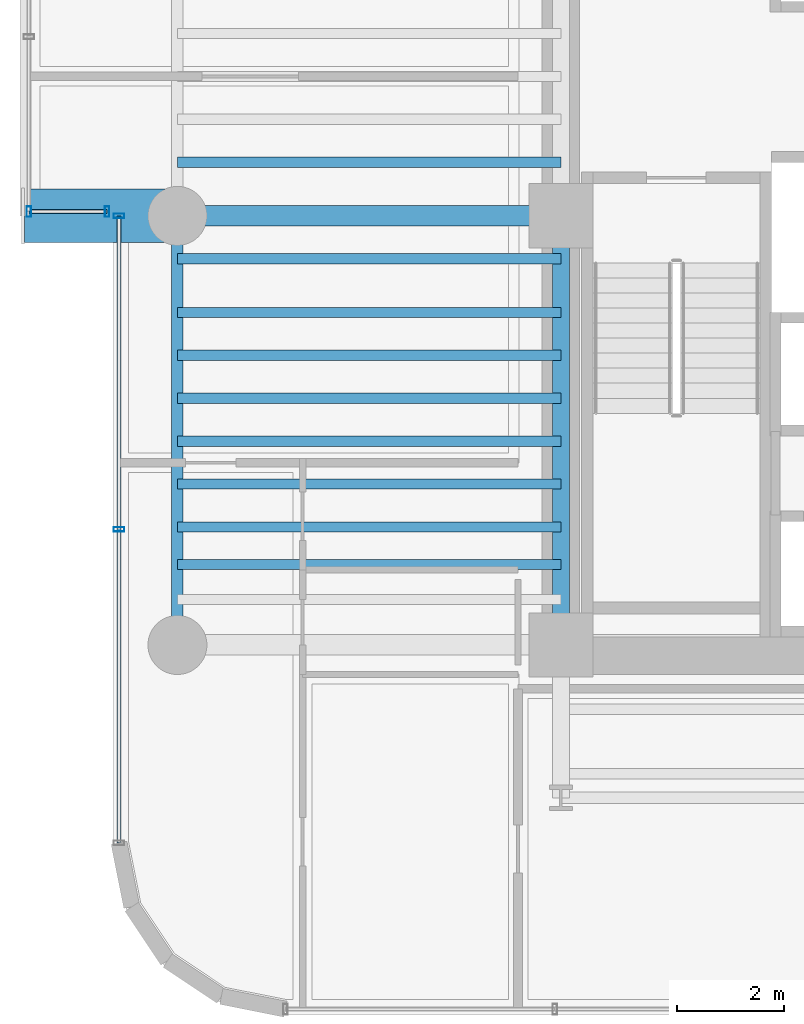
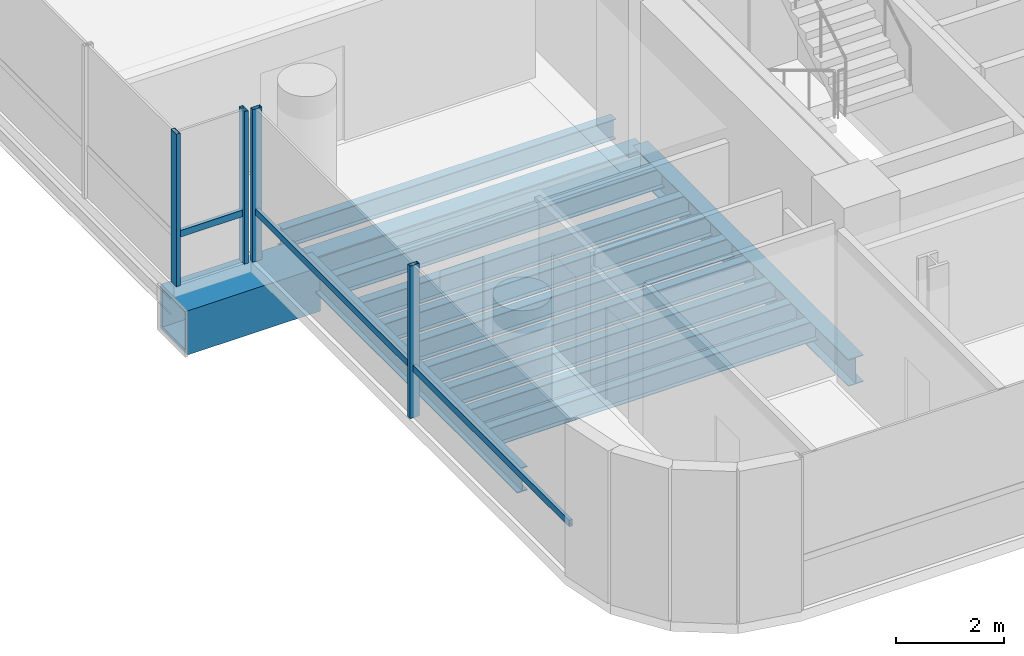
# One storey, part 4 of 36: 13 beams, 6 members, 2 elements without a shape of their own.
"""IFC4 building model written with IfcOpenShell, lengths in metres."""

import ifcopenshell
import ifcopenshell.guid

model = None  # the IFC model being written
_history = None  # IfcOwnerHistory: only IFC2X3 demands one
_inside = {}  # id of a spatial element -> (the spatial element, [elements in it])
_under = {}  # id of a project, library or spatial element -> (it, [spatial elements below it])
_declared = {}  # id of a project -> (the project, [libraries it declares])
_typed = {}  # id of a type object -> (the type object, [elements of that type])
_made_of = {}  # id of a material, layer set ... -> (it, [elements and type objects made of it])


def new_model(schema):
    """Start an empty IFC model of exactly this schema.

    Asked for "IFC4X3", IfcOpenShell would pick the latest addendum, in which some entities
    have other attributes; the version numbers below select the first issue.
    IFC2X3 requires an IfcOwnerHistory on every rooted entity: one is made here for all.
    """
    global model, _history
    if schema == "IFC4X3":
        model = ifcopenshell.file(schema_version=(4, 3, 0, 0))
    else:
        model = ifcopenshell.file(schema=schema)
    _inside.clear()
    _under.clear()
    _declared.clear()
    _typed.clear()
    _made_of.clear()
    _history = None
    if model.schema == "IFC2X3":
        org = make("IfcOrganization", Name="unknown")
        user = make(
            "IfcPersonAndOrganization",
            ThePerson=make("IfcPerson", FamilyName="unknown"),
            TheOrganization=org,
        )
        app = make(
            "IfcApplication",
            ApplicationDeveloper=org,
            Version="unknown",
            ApplicationFullName="unknown",
            ApplicationIdentifier="unknown",
        )
        _history = make(
            "IfcOwnerHistory",
            OwningUser=user,
            OwningApplication=app,
            ChangeAction="ADDED",
            CreationDate=0,
        )
    return model


def make(cls, **values):
    """One entity of the class cls with the attributes given. An attribute that is None is left unset."""
    return model.create_entity(
        cls, **{name: value for name, value in values.items() if value is not None}
    )


def rooted(cls, **values):
    """An entity with a GlobalId (a new one), such as an element, a storey or a relation."""
    return make(cls, GlobalId=ifcopenshell.guid.new(), OwnerHistory=_history, **values)


def si_unit(unit_type, name, prefix=None):
    """IfcSIUnit, for example si_unit("LENGTHUNIT", "METRE", prefix="MILLI")."""
    return make("IfcSIUnit", UnitType=unit_type, Prefix=prefix, Name=name)


def assignment(units):
    """IfcUnitAssignment: the units of a project."""
    return None if units is None else make("IfcUnitAssignment", Units=units)


def point(xyz):
    """IfcCartesianPoint."""
    return None if xyz is None else make("IfcCartesianPoint", Coordinates=xyz)


def direction(xyz):
    """IfcDirection."""
    return None if xyz is None else make("IfcDirection", DirectionRatios=xyz)


def frame(location, z_axis=None, x_axis=None):
    """IfcAxis2Placement3D, a coordinate frame: its origin and axes. An axis left out is left unset."""
    return make(
        "IfcAxis2Placement3D",
        Location=point(location),
        Axis=direction(z_axis),
        RefDirection=direction(x_axis),
    )


def frame_2d(location, x_axis=None):
    """IfcAxis2Placement2D, a coordinate frame in the plane: its origin and x axis."""
    return make(
        "IfcAxis2Placement2D", Location=point(location), RefDirection=direction(x_axis)
    )


def origin():
    """The frame at (0, 0, 0) with its axes left unset."""
    return frame((0.0, 0.0, 0.0))


def origin_2d():
    """The frame at (0, 0) in the plane with its x axis left unset."""
    return frame_2d((0.0, 0.0))


def place(relative_to, where):
    """IfcLocalPlacement: puts the frame where relative to a parent placement (None: the world)."""
    return make(
        "IfcLocalPlacement", PlacementRelTo=relative_to, RelativePlacement=where
    )


def context(
    kind, dimensions, precision=None, world=None, true_north=None, identifier=None
):
    """IfcGeometricRepresentationContext, for example the 3D "Model" context."""
    return make(
        "IfcGeometricRepresentationContext",
        ContextIdentifier=identifier,
        ContextType=kind,
        CoordinateSpaceDimension=dimensions,
        Precision=precision,
        WorldCoordinateSystem=world,
        TrueNorth=true_north,
    )


def subcontext(parent, identifier, kind, view, scale=None):
    """IfcGeometricRepresentationSubContext, for example "Body" below "Model"."""
    return make(
        "IfcGeometricRepresentationSubContext",
        ContextIdentifier=identifier,
        ContextType=kind,
        ParentContext=parent,
        TargetScale=scale,
        TargetView=view,
    )


def project(units=None, contexts=None):
    """IfcProject with its units and contexts."""
    return rooted(
        "IfcProject",
        Name="project",
        RepresentationContexts=contexts,
        UnitsInContext=assignment(units),
    )


def spatial(cls, under=None, at=None, **own):
    """A site, building, storey or space (cls), placed at a placement, below another one or the project."""
    s = rooted(cls, ObjectPlacement=at, **own)
    if under is not None:
        _under.setdefault(under.id(), (under, []))[1].append(s)
    return s


def profile(cls, at=None, kind="AREA", **sizes):
    """A parametric profile (cls). Its sizes go by their IFC names, for example OverallWidth=200.0."""
    return make(cls, ProfileType=kind, Position=at, **sizes)


def hollow_rectangle(**sizes):
    """IfcRectangleHollowProfileDef."""
    return profile("IfcRectangleHollowProfileDef", **sizes)


def i_section(**sizes):
    """IfcIShapeProfileDef."""
    return profile("IfcIShapeProfileDef", **sizes)


def extrude(swept, where, along, depth):
    """IfcExtrudedAreaSolid: the profile swept, set in the frame where, extruded along a direction by depth."""
    return make(
        "IfcExtrudedAreaSolid",
        SweptArea=swept,
        Position=where,
        ExtrudedDirection=direction(along),
        Depth=depth,
    )


def shape(context_of_items, identifier, shape_type, items):
    """IfcShapeRepresentation: the items that make up one representation, for example the "Body"."""
    return make(
        "IfcShapeRepresentation",
        ContextOfItems=context_of_items,
        RepresentationIdentifier=identifier,
        RepresentationType=shape_type,
        Items=items,
    )


def source(mapping_origin, context_of_items, identifier, shape_type, items):
    """IfcRepresentationMap: a shape defined once, which mapped items show again and again."""
    return make(
        "IfcRepresentationMap",
        MappingOrigin=mapping_origin,
        MappedRepresentation=shape(context_of_items, identifier, shape_type, items),
    )


def transform(
    local_origin,
    x_axis=None,
    y_axis=None,
    z_axis=None,
    scale=None,
    scale2=None,
    scale3=None,
    uniform=True,
):
    """IfcCartesianTransformationOperator3D, or its non-uniform kind. x_axis, y_axis, z_axis: its Axis1, 2, 3."""
    if uniform:
        return make(
            "IfcCartesianTransformationOperator3D",
            Axis1=direction(x_axis),
            Axis2=direction(y_axis),
            LocalOrigin=point(local_origin),
            Scale=scale,
            Axis3=direction(z_axis),
        )
    return make(
        "IfcCartesianTransformationOperator3DnonUniform",
        Axis1=direction(x_axis),
        Axis2=direction(y_axis),
        LocalOrigin=point(local_origin),
        Scale=scale,
        Axis3=direction(z_axis),
        Scale2=scale2,
        Scale3=scale3,
    )


def mapped(mapping_source, mapping_target):
    """IfcMappedItem: shows the shape of a source again, moved by a transform."""
    return make(
        "IfcMappedItem", MappingSource=mapping_source, MappingTarget=mapping_target
    )


def material(Name=None, Category=None):
    """IfcMaterial."""
    return make("IfcMaterial", Name=Name, Category=Category)


def material_profile(
    of_material, cross_section, Name=None, Category=None, Priority=None
):
    """IfcMaterialProfile: a cross section and its material."""
    return make(
        "IfcMaterialProfile",
        Name=Name,
        Material=of_material,
        Profile=cross_section,
        Priority=Priority,
        Category=Category,
    )


def profile_set(profiles, Name=None, composite=None):
    """IfcMaterialProfileSet."""
    return make(
        "IfcMaterialProfileSet",
        Name=Name,
        MaterialProfiles=profiles,
        CompositeProfile=composite,
    )


def made_of(thing, what):
    """Note that an element or type object is made of a material, layer set ...; save() writes the relation."""
    if what is not None:
        _made_of.setdefault(what.id(), (what, []))[1].append(thing)
    return thing


def type_object(cls, material=None, **own):
    """A type object (cls), such as IfcWallType, which elements share."""
    return made_of(rooted(cls, **own), material)


def element(
    cls,
    number,
    at=None,
    inside=None,
    cuts=None,
    type_object=None,
    material=None,
    context=None,
    identifier="Body",
    shape_type=None,
    held_by="IfcProductDefinitionShape",
    body=None,
    shapes=None,
    **own,
):
    """One element of the class cls, such as IfcWall. Its Tag is "e" and its number.

    at: its placement. inside: the storey or other place that contains it. cuts: it is an
    opening in that element (IfcRelVoidsElement). A single representation is given by context,
    identifier, shape_type and body (its items); several are given by shapes. held_by: the class
    of the entity that holds the representations. save() writes the other relations.
    """
    e = rooted(cls, Tag="e%d" % number, ObjectPlacement=at, **own)
    if body is not None:
        shapes = [shape(context, identifier, shape_type, body)]
    if shapes is not None:
        e.Representation = make(held_by, Representations=shapes)
    if inside is not None:
        _inside.setdefault(inside.id(), (inside, []))[1].append(e)
    if cuts is not None:
        rooted(
            "IfcRelVoidsElement", RelatingBuildingElement=cuts, RelatedOpeningElement=e
        )
    if type_object is not None:
        _typed.setdefault(type_object.id(), (type_object, []))[1].append(e)
    return made_of(e, material)


def aggregate(whole, parts):
    """IfcRelAggregates: a whole, such as a stair, and the parts it consists of."""
    return rooted("IfcRelAggregates", RelatingObject=whole, RelatedObjects=parts)


def save(model, path):
    """Write the relations noted so far, then the file.

    IfcRelAggregates (storeys below a building ...), IfcRelContainedInSpatialStructure (elements
    in a storey), IfcRelDefinesByType, IfcRelAssociatesMaterial and IfcRelDeclares: one each for
    every whole, place, type object, material and project.
    """
    for whole, parts in _under.values():
        aggregate(whole, parts)
    for where, things in _inside.values():
        rooted(
            "IfcRelContainedInSpatialStructure",
            RelatedElements=things,
            RelatingStructure=where,
        )
    for kind, things in _typed.values():
        rooted("IfcRelDefinesByType", RelatedObjects=things, RelatingType=kind)
    for what, things in _made_of.values():
        rooted("IfcRelAssociatesMaterial", RelatedObjects=things, RelatingMaterial=what)
    for by, libraries in _declared.values():
        rooted("IfcRelDeclares", RelatingContext=by, RelatedDefinitions=libraries)
    model.write(path)


model = new_model("IFC4")

# Units and contexts
model_context = context("Model", 3, precision=1e-05, world=origin(), true_north=direction((0.0, 1.0)))
body_context = subcontext(model_context, "Body", "Model", "MODEL_VIEW")
ifc_project = project(units=[si_unit("LENGTHUNIT", "METRE"), si_unit("AREAUNIT", "SQUARE_METRE"), si_unit("VOLUMEUNIT", "CUBIC_METRE"), si_unit("PLANEANGLEUNIT", "RADIAN"), si_unit("MASSUNIT", "GRAM", prefix="KILO")], contexts=[model_context])

# Site, building, storey
site_placement = place(None, origin())
site = spatial("IfcSite", under=ifc_project, at=site_placement, CompositionType="ELEMENT")
building_placement = place(site_placement, origin())
building = spatial("IfcBuilding", under=site, at=building_placement, Name="Valdorenza Pilgrim Sanctuary Tower", CompositionType="ELEMENT")
storey_placement = place(building_placement, frame((0.0, 0.0, 109.39990234375)))
storey = spatial("IfcBuildingStorey", under=building, at=storey_placement, Name="L27", CompositionType="ELEMENT", Elevation=109.39990234375)

# Beams
ifc_material_1 = material(Name="Steel ASTM A992 Grade 50", Category="steel")
ifc_material_profile_1 = material_profile(ifc_material_1, i_section(OverallWidth=0.214111328125, OverallDepth=0.549072265625, WebThickness=0.0146484375, FlangeThickness=0.023681640625, at=origin_2d()), Name="W21X93")
ifc_profile_set_1 = profile_set([ifc_material_profile_1], Name="Steel ASTM A992 Grade 50")
beam_type_1 = type_object("IfcBeamType", Name="STR-BM-SPN-W21A", PredefinedType="SPANDREL", material=ifc_profile_set_1)
shared_shape_1 = source(origin(), body_context, "Body", "SweptSolid", [
    extrude(i_section(OverallWidth=0.214111328125, OverallDepth=0.549072265625, WebThickness=0.0146484375, FlangeThickness=0.023681640625, at=origin_2d()), origin(), (0.0, 0.0, 1.0), 8.0),
])
beam_1_placement = place(storey_placement, frame((-29.800048828125, -10.60009765625, -0.514404296875), z_axis=(0.0, 1.0, 0.0), x_axis=(-1.0, 0.0, 0.0)))
element("IfcBeam", 1, at=beam_1_placement, inside=storey, type_object=beam_type_1, Name="L27 Spandrel Beam WA-W-S1M0", PredefinedType="SPANDREL", context=body_context, shape_type="MappedRepresentation", body=[
    mapped(shared_shape_1, transform((0.0, 0.0, 0.0), x_axis=(1.0, 0.0, 0.0), y_axis=(0.0, 1.0, 0.0), z_axis=(0.0, 0.0, 1.0), scale=1.0)),
])
ifc_material_profile_2 = material_profile(ifc_material_1, i_section(OverallWidth=0.323974609375, OverallDepth=0.611083984375, WebThickness=0.0126953125, FlangeThickness=0.01904296875, at=origin_2d()), Name="W24X104")
ifc_profile_set_2 = profile_set([ifc_material_profile_2], Name="Steel ASTM A992 Grade 50")
beam_type_2 = type_object("IfcBeamType", Name="STR-BM-GRD-W24B", PredefinedType="BEAM", material=ifc_profile_set_2)
shared_shape_2 = source(origin(), body_context, "Body", "SweptSolid", [
    extrude(i_section(OverallWidth=0.323974609375, OverallDepth=0.611083984375, WebThickness=0.0126953125, FlangeThickness=0.01904296875, at=origin_2d()), origin(), (0.0, 0.0, 1.0), 8.0),
])
beam_2_placement = place(storey_placement, frame((-22.64990234375, -10.60009765625, -0.54541015625), z_axis=(0.0, 1.0, 0.0), x_axis=(-1.0, 0.0, 0.0)))
element("IfcBeam", 2, at=beam_2_placement, inside=storey, type_object=beam_type_2, Name="L27 Core Tie Girder CA-W-S1M0", PredefinedType="BEAM", context=body_context, shape_type="MappedRepresentation", body=[
    mapped(shared_shape_2, transform((0.0, 0.0, 0.0), x_axis=(1.0, 0.0, 0.0), y_axis=(0.0, 1.0, 0.0), z_axis=(0.0, 0.0, 1.0), scale=1.0)),
])
ifc_material_profile_3 = material_profile(ifc_material_1, i_section(OverallWidth=0.382080078125, OverallDepth=0.779052734375, WebThickness=0.01806640625, FlangeThickness=0.030029296875, at=origin_2d()), Name="W30X191")
ifc_profile_set_3 = profile_set([ifc_material_profile_3], Name="Steel ASTM A992 Grade 50")
beam_type_3 = type_object("IfcBeamType", Name="STR-BM-GRD-W30", PredefinedType="BEAM", material=ifc_profile_set_3)
shared_shape_3 = source(origin(), body_context, "Body", "SweptSolid", [
    extrude(i_section(OverallWidth=0.382080078125, OverallDepth=0.779052734375, WebThickness=0.01806640625, FlangeThickness=0.030029296875, at=origin_2d()), origin(), (0.0, 0.0, 1.0), 7.150146484375),
])
beam_3_placement = place(storey_placement, frame((-29.800048828125, -2.60009765625, -0.62939453125), z_axis=(1.0, 0.0, 0.0), x_axis=(0.0, 1.0, 0.0)))
element("IfcBeam", 3, at=beam_3_placement, inside=storey, type_object=beam_type_3, Name="L27 Floor Girder WA-XW-M0", PredefinedType="BEAM", context=body_context, shape_type="MappedRepresentation", body=[
    mapped(shared_shape_3, transform((0.0, 0.0, 0.0), x_axis=(1.0, 0.0, 0.0), y_axis=(0.0, 1.0, 0.0), z_axis=(0.0, 0.0, 1.0), scale=1.0)),
])
ifc_material_profile_4 = material_profile(ifc_material_1, i_section(OverallWidth=0.19091796875, OverallDepth=0.45703125, WebThickness=0.009033203125, FlangeThickness=0.014404296875, at=origin_2d()), Name="W18X50")
ifc_profile_set_4 = profile_set([ifc_material_profile_4], Name="Steel ASTM A992 Grade 50")
beam_type_4 = type_object("IfcBeamType", Name="STR-BM-JST-W18B", PredefinedType="JOIST", material=ifc_profile_set_4)
shared_shape_4 = source(origin(), body_context, "Body", "SweptSolid", [
    extrude(i_section(OverallWidth=0.19091796875, OverallDepth=0.45703125, WebThickness=0.009033203125, FlangeThickness=0.014404296875, at=origin_2d()), origin(), (0.0, 0.0, 1.0), 7.150146484375),
])
for number, where, z_axis, x_axis, name in (
    (4, (-29.800048828125, -9.10009765625, -0.468505859375), (1.0, 0.0, 0.0), (0.0, 1.0, 0.0), "L27 Composite Floor Joist JST-WA-2"),
    (5, (-29.800048828125, -8.39990234375, -0.468505859375), (1.0, 0.0, 0.0), (0.0, 1.0, 0.0), "L27 Composite Floor Joist JST-WA-3"),
    (6, (-29.800048828125, -7.60009765625, -0.468505859375), (1.0, 0.0, 0.0), (0.0, 1.0, 0.0), "L27 Composite Floor Joist JST-WA-4"),
    (7, (-29.800048828125, -6.800048828125, -0.468505859375), (1.0, 0.0, 0.0), (0.0, 1.0, 0.0), "L27 Composite Floor Joist JST-WA-5"),
    (8, (-29.800048828125, -6.0, -0.468505859375), (1.0, 0.0, 0.0), (0.0, 1.0, 0.0), "L27 Composite Floor Joist JST-WA-6"),
    (9, (-29.800048828125, -5.199951171875, -0.468505859375), (1.0, 0.0, 0.0), (0.0, 1.0, 0.0), "L27 Composite Floor Joist JST-WA-7"),
    (10, (-29.800048828125, -4.39990234375, -0.468505859375), (1.0, 0.0, 0.0), (0.0, 1.0, 0.0), "L27 Composite Floor Joist JST-WA-8"),
    (11, (-29.800048828125, -3.39990234375, -0.468505859375), (1.0, 0.0, 0.0), (0.0, 1.0, 0.0), "L27 Composite Floor Joist JST-WA-9"),
    (12, (-29.800048828125, -1.60009765625, -0.468505859375), (1.0, 0.0, 0.0), (0.0, 1.0, 0.0), "L27 Composite Floor Joist JST-WA-10"),
):
    element("IfcBeam", number, at=place(storey_placement, frame(where, z_axis=z_axis, x_axis=x_axis)), inside=storey, type_object=beam_type_4, Name=name, PredefinedType="JOIST", context=body_context, shape_type="MappedRepresentation", body=[
        mapped(shared_shape_4, transform((0.0, 0.0, 0.0), x_axis=(1.0, 0.0, 0.0), y_axis=(0.0, 1.0, 0.0), z_axis=(0.0, 0.0, 1.0), scale=1.0)),
    ])
ifc_material_2 = material(Name="Steel ASTM A572 Grade 42", Category="steel")
ifc_material_profile_5 = material_profile(ifc_material_2, hollow_rectangle(XDim=1.0, YDim=1.0, WallThickness=0.080078125, at=origin_2d()), Name="BOX 1000x1000x80")
ifc_profile_set_5 = profile_set([ifc_material_profile_5], Name="Steel ASTM A572 Grade 42")
beam_type_5 = type_object("IfcBeamType", Name="STR-BM-PROW-CANT", PredefinedType="BEAM", material=ifc_profile_set_5)
shared_shape_5 = source(origin(), body_context, "Body", "SweptSolid", [
    extrude(hollow_rectangle(XDim=1.0, YDim=1.0, WallThickness=0.080078125, at=origin_2d()), origin(), (0.0, 0.0, 1.0), 2.849853515625),
])
beam_4_placement = place(storey_placement, frame((-29.800048828125, -2.60009765625, -0.739990234375), z_axis=(-1.0, 0.0, 0.0), x_axis=(0.0, -1.0, 0.0)))
element("IfcBeam", 13, at=beam_4_placement, inside=storey, type_object=beam_type_5, Name="L27 Glass Box Cantilever Beam BOX-WA-L27-CT-S", PredefinedType="BEAM", context=body_context, shape_type="MappedRepresentation", body=[
    mapped(shared_shape_5, transform((0.0, 0.0, 0.0), x_axis=(1.0, 0.0, 0.0), y_axis=(0.0, 1.0, 0.0), z_axis=(0.0, 0.0, 1.0), scale=1.0)),
])

# Curtain wall, member
ifc_material_3 = material(Name="Curtain-wall IGU glazing", Category="glass")
curtain_wall_type = type_object("IfcCurtainWallType", Name="CW-SYS-02", PredefinedType="NOTDEFINED", material=ifc_material_3)
curtain_wall_1_placement = place(storey_placement, origin())
curtain_wall_1 = element("IfcCurtainWall", 14, at=curtain_wall_1_placement, inside=storey, type_object=curtain_wall_type, Name="L27 Curtain Wall CW-L27-BOX-WA-L27-S", PredefinedType="NOTDEFINED")
ifc_material_4 = material(Name="Anodised aluminium AW-6060", Category="aluminium")
ifc_material_profile_6 = material_profile(ifc_material_4, hollow_rectangle(XDim=0.074951171875, YDim=0.14990234375, WallThickness=0.00390625, at=origin_2d()), Name="ALU-T 150x75x4")
ifc_profile_set_6 = profile_set([ifc_material_profile_6], Name="Anodised aluminium AW-6060")
member_type_1 = type_object("IfcMemberType", Name="CW-TRN-02", PredefinedType="USERDEFINED", material=ifc_profile_set_6)
shared_shape_6 = source(origin(), body_context, "Body", "SweptSolid", [
    extrude(hollow_rectangle(XDim=0.074951171875, YDim=0.14990234375, WallThickness=0.00390625, at=origin_2d()), origin(), (0.0, 0.0, 1.0), 1.4599609375),
])
member_1_placement = place(storey_placement, frame((-31.110107421875, -2.52001953125, 1.1201171875), z_axis=(-1.0, 0.0, 0.0), x_axis=(0.0, -1.0, 0.0)))
member_1 = element("IfcMember", 15, at=member_1_placement, type_object=member_type_1, Name="CW-L27-BOX-WA-L27-S Transom 1", ObjectType="TRANSOM", PredefinedType="USERDEFINED", context=body_context, shape_type="MappedRepresentation", body=[
    mapped(shared_shape_6, transform((0.0, 0.0, 0.0), x_axis=(1.0, 0.0, 0.0), y_axis=(0.0, 1.0, 0.0), z_axis=(0.0, 0.0, 1.0), scale=1.0)),
])

# Curtain wall, members
curtain_wall_2_placement = place(storey_placement, origin())
curtain_wall_2 = element("IfcCurtainWall", 16, at=curtain_wall_2_placement, inside=storey, type_object=curtain_wall_type, Name="L27 Curtain Wall CW-L27-1-1S1", PredefinedType="NOTDEFINED")
ifc_material_profile_7 = material_profile(ifc_material_4, hollow_rectangle(XDim=0.0849609375, YDim=0.199951171875, WallThickness=0.0048828125, at=origin_2d()), Name="ALU-M 200x85x5")
ifc_profile_set_7 = profile_set([ifc_material_profile_7], Name="Anodised aluminium AW-6060")
member_type_2 = type_object("IfcMemberType", Name="CW-MUL-02", PredefinedType="MULLION", material=ifc_profile_set_7)
shared_shape_7 = source(origin(), body_context, "Body", "SweptSolid", [
    extrude(hollow_rectangle(XDim=0.0849609375, YDim=0.199951171875, WallThickness=0.0048828125, at=origin_2d()), origin(), (0.0, 0.0, 1.0), 3.460205078125),
])
member_2_placement = place(storey_placement, frame((-30.889892578125, -8.444580078125, 0.0), z_axis=(0.0, 0.0, 1.0), x_axis=(0.0, 1.0, 0.0)))
member_2 = element("IfcMember", 17, at=member_2_placement, type_object=member_type_2, Name="CW-L27-1-1S1 Mullion 2", PredefinedType="MULLION", context=body_context, shape_type="MappedRepresentation", body=[
    mapped(shared_shape_7, transform((0.0, 0.0, 0.0), x_axis=(1.0, 0.0, 0.0), y_axis=(0.0, 1.0, 0.0), z_axis=(0.0, 0.0, 1.0), scale=1.0)),
])
member_3_placement = place(storey_placement, frame((-30.889892578125, -2.60009765625, 0.0), z_axis=(0.0, 0.0, 1.0), x_axis=(0.0, 1.0, 0.0)))
member_3 = element("IfcMember", 18, at=member_3_placement, type_object=member_type_2, Name="CW-L27-1-1S1 Mullion 3", PredefinedType="MULLION", context=body_context, shape_type="MappedRepresentation", body=[
    mapped(shared_shape_7, transform((0.0, 0.0, 0.0), x_axis=(1.0, 0.0, 0.0), y_axis=(0.0, 1.0, 0.0), z_axis=(0.0, 0.0, 1.0), scale=1.0)),
])

# Member
member_4_placement = place(storey_placement, frame((-31.110107421875, -2.52001953125, 0.0), z_axis=(0.0, 0.0, 1.0), x_axis=(-1.0, 0.0, 0.0)))
member_4 = element("IfcMember", 19, at=member_4_placement, type_object=member_type_2, Name="CW-L27-BOX-WA-L27-S Mullion 1", PredefinedType="MULLION", context=body_context, shape_type="MappedRepresentation", body=[
    mapped(shared_shape_7, transform((0.0, 0.0, 0.0), x_axis=(1.0, 0.0, 0.0), y_axis=(0.0, 1.0, 0.0), z_axis=(0.0, 0.0, 1.0), scale=1.0)),
])

member_5_placement = place(storey_placement, frame((-32.570068359375, -2.52001953125, 0.0), z_axis=(0.0, 0.0, 1.0), x_axis=(-1.0, 0.0, 0.0)))
member_5 = element("IfcMember", 20, at=member_5_placement, type_object=member_type_2, Name="CW-L27-BOX-WA-L27-S Mullion 2", PredefinedType="MULLION", context=body_context, shape_type="MappedRepresentation", body=[
    mapped(shared_shape_7, transform((0.0, 0.0, 0.0), x_axis=(1.0, 0.0, 0.0), y_axis=(0.0, 1.0, 0.0), z_axis=(0.0, 0.0, 1.0), scale=1.0)),
])

aggregate(curtain_wall_1, [member_4, member_5, member_1])

shared_shape_8 = source(origin(), body_context, "Body", "SweptSolid", [
    extrude(hollow_rectangle(XDim=0.074951171875, YDim=0.14990234375, WallThickness=0.00390625, at=origin_2d()), origin(), (0.0, 0.0, 1.0), 11.689208984375),
])
member_6_placement = place(storey_placement, frame((-30.889892578125, -14.289306640625, 1.1201171875), z_axis=(0.0, 1.0, 0.0), x_axis=(-1.0, 0.0, 0.0)))
member_6 = element("IfcMember", 21, at=member_6_placement, type_object=member_type_1, Name="CW-L27-1-1S1 Transom 1", ObjectType="TRANSOM", PredefinedType="USERDEFINED", context=body_context, shape_type="MappedRepresentation", body=[
    mapped(shared_shape_8, transform((0.0, 0.0, 0.0), x_axis=(1.0, 0.0, 0.0), y_axis=(0.0, 1.0, 0.0), z_axis=(0.0, 0.0, 1.0), scale=1.0)),
])

aggregate(curtain_wall_2, [member_2, member_3, member_6])

save(model, "model.ifc")
